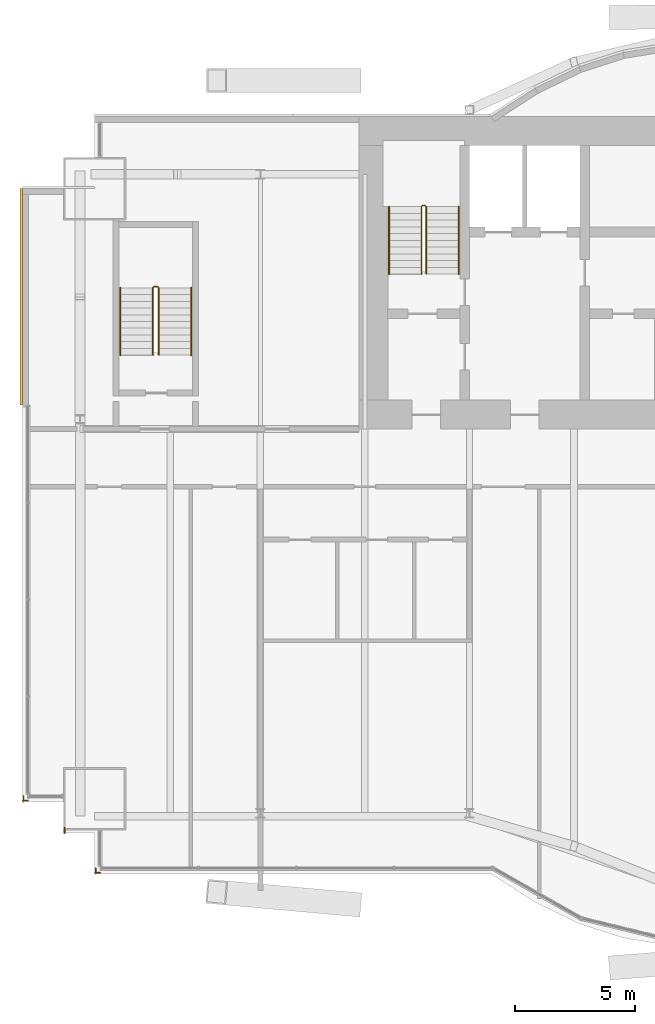
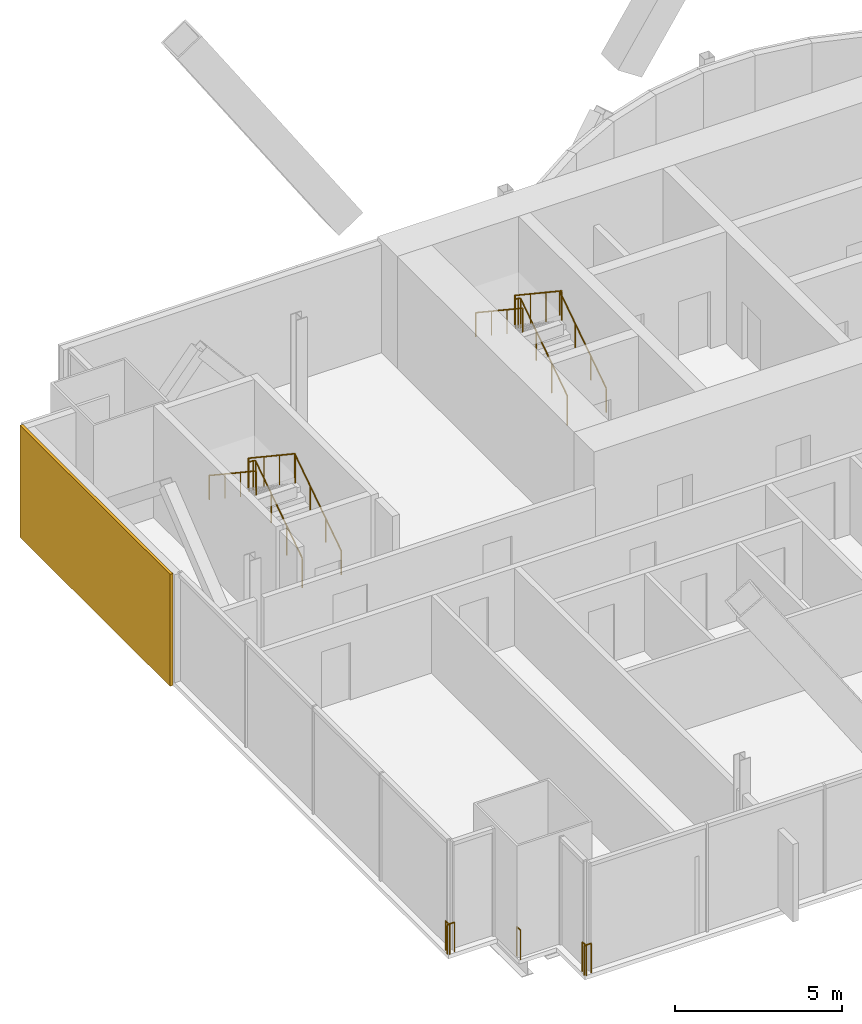
# One storey, part 18 of 20: 9 railings, 1 covering.
"""IFC4 building model written with IfcOpenShell, lengths in metres."""

from ifc_helpers import new_model, si_unit, direction, frame, origin, origin_2d, place, context, subcontext, project, spatial, rectangle, circle, extrude, material, layer, layer_set, type_object, element, save


model = new_model("IFC4")

# Units and contexts
model_context = context("Model", 3, precision=1e-05, world=origin(), true_north=direction((0.0, 1.0)))
body_context = subcontext(model_context, "Body", "Model", "MODEL_VIEW")
ifc_project = project(units=[si_unit("LENGTHUNIT", "METRE"), si_unit("AREAUNIT", "SQUARE_METRE"), si_unit("VOLUMEUNIT", "CUBIC_METRE"), si_unit("PLANEANGLEUNIT", "RADIAN"), si_unit("MASSUNIT", "GRAM", prefix="KILO")], contexts=[model_context])

# Site, building, storey
site_placement = place(None, origin())
site = spatial("IfcSite", under=ifc_project, at=site_placement, CompositionType="ELEMENT")
building_placement = place(site_placement, origin())
building = spatial("IfcBuilding", under=site, at=building_placement, Name="Bicima Exchange Tower", CompositionType="ELEMENT")
storey_placement = place(building_placement, frame((0.0, 0.0, 219.60009765625)))
storey = spatial("IfcBuildingStorey", under=building, at=storey_placement, Name="L49", CompositionType="ELEMENT", Elevation=219.60009765625)

# Covering
ifc_material_1 = material(Name="Bronze metal cladding")
ifc_layer_1 = layer(ifc_material_1, 0.004)
ifc_material_2 = material(Name="Ventilated cavity")
ifc_layer_2 = layer(ifc_material_2, 0.06)
ifc_material_3 = material(Name="Galvanised steel rail and mineral wool", Category="steel")
ifc_layer_3 = layer(ifc_material_3, 0.036)
ifc_layer_set = layer_set([ifc_layer_1, ifc_layer_2, ifc_layer_3], Name="Ventilated cavity")
covering_type = type_object("IfcCoveringType", Name="Bronze metal cladding panel 100", PredefinedType="CLADDING", material=ifc_layer_set)
covering_placement = place(storey_placement, frame((-36.050048828125, -7.5, -0.150146484375), z_axis=(0.0, 0.0, 1.0), x_axis=(0.0, -1.0, 0.0)))
element("IfcCovering", 1, at=covering_placement, inside=storey, type_object=covering_type, Name="Bronze cladding L49 23.1", PredefinedType="CLADDING", context=body_context, shape_type="SweptSolid", body=[
    extrude(rectangle(XDim=9.0, YDim=0.10009765625, at=origin_2d()), origin(), (0.0, 0.0, 1.0), 4.10009765625),
])

# Railings
ifc_material_4 = material(Name="Stainless steel and bonded safety glass", Category="steel")
railing_type_1 = type_object("IfcRailingType", Name="Edge guard 1100", PredefinedType="GUARDRAIL", material=ifc_material_4)
railing_1_placement = place(storey_placement, frame((-35.757080078125, -28.4580078125, 0.0)))
element("IfcRailing", 2, at=railing_1_placement, inside=storey, type_object=railing_type_1, Name="Edge guard L49 249", PredefinedType="GUARDRAIL", context=body_context, shape_type="SweptSolid", body=[
    extrude(circle(Radius=0.02392578125, at=origin_2d()), frame((0.0, 0.0, 1.076171875), z_axis=(-1.0, 0.0, 0.0), x_axis=(0.0, -1.0, 0.0)), (0.0, 0.0, 1.0), 0.242919921875),
    extrude(circle(Radius=0.02392578125, at=origin_2d()), frame((-0.242919921875, 0.0, 1.076171875), z_axis=(0.707106781187, -0.707106781187, 0.0), x_axis=(0.707106781187, 0.707106781187, 0.0)), (0.0, 0.0, 1.0), 0.07080078125),
    extrude(circle(Radius=0.02392578125, at=origin_2d()), frame((-0.19287109375, -0.050048828125, 1.076171875), z_axis=(0.0, 1.0, 0.0), x_axis=(-1.0, 0.0, 0.0)), (0.0, 0.0, 1.0), 0.248046875),
    extrude(circle(Radius=0.02099609375, at=origin_2d()), origin(), (0.0, 0.0, 1.0), 1.052001953125),
    extrude(circle(Radius=0.02099609375, at=origin_2d()), frame((-0.242919921875, 0.0, 0.0)), (0.0, 0.0, 1.0), 1.052001953125),
    extrude(circle(Radius=0.02099609375, at=origin_2d()), frame((-0.19287109375, -0.050048828125, 0.0)), (0.0, 0.0, 1.0), 1.052001953125),
    extrude(circle(Radius=0.02099609375, at=origin_2d()), frame((-0.19287109375, 0.197998046875, 0.0)), (0.0, 0.0, 1.0), 1.052001953125),
])
railing_2_placement = place(storey_placement, frame((-32.75, -31.4580078125, 0.0)))
element("IfcRailing", 3, at=railing_2_placement, inside=storey, type_object=railing_type_1, Name="Edge guard L49 253", PredefinedType="GUARDRAIL", context=body_context, shape_type="SweptSolid", body=[
    extrude(circle(Radius=0.02392578125, at=origin_2d()), frame((0.0, 0.0, 1.076171875), z_axis=(-1.0, 0.0, 0.0), x_axis=(0.0, -1.0, 0.0)), (0.0, 0.0, 1.0), 0.25),
    extrude(circle(Radius=0.02392578125, at=origin_2d()), frame((-0.25, 0.0, 1.076171875), z_axis=(0.707106781187, -0.707106781187, 0.0), x_axis=(0.707106781187, 0.707106781187, 0.0)), (0.0, 0.0, 1.0), 0.07080078125),
    extrude(circle(Radius=0.02392578125, at=origin_2d()), frame((-0.199951171875, -0.050048828125, 1.076171875), z_axis=(0.0, 1.0, 0.0), x_axis=(-1.0, 0.0, 0.0)), (0.0, 0.0, 1.0), 0.2431640625),
    extrude(circle(Radius=0.02099609375, at=origin_2d()), origin(), (0.0, 0.0, 1.0), 1.052001953125),
    extrude(circle(Radius=0.02099609375, at=origin_2d()), frame((-0.25, 0.0, 0.0)), (0.0, 0.0, 1.0), 1.052001953125),
    extrude(circle(Radius=0.02099609375, at=origin_2d()), frame((-0.199951171875, -0.050048828125, 0.0)), (0.0, 0.0, 1.0), 1.052001953125),
    extrude(circle(Radius=0.02099609375, at=origin_2d()), frame((-0.199951171875, 0.193115234375, 0.0)), (0.0, 0.0, 1.0), 1.052001953125),
])
railing_3_placement = place(storey_placement, frame((-34.25, -29.80810546875, 0.0)))
element("IfcRailing", 4, at=railing_3_placement, inside=storey, type_object=railing_type_1, Name="Edge guard L49 254", PredefinedType="GUARDRAIL", context=body_context, shape_type="SweptSolid", body=[
    extrude(circle(Radius=0.02392578125, at=origin_2d()), frame((0.0, 0.0, 1.076171875), z_axis=(0.0, 1.0, 0.0), x_axis=(-1.0, 0.0, 0.0)), (0.0, 0.0, 1.0), 0.217041015625),
    extrude(circle(Radius=0.02099609375, at=origin_2d()), origin(), (0.0, 0.0, 1.0), 1.052001953125),
    extrude(circle(Radius=0.02099609375, at=origin_2d()), frame((0.0, 0.217041015625, 0.0)), (0.0, 0.0, 1.0), 1.052001953125),
])
ifc_material_5 = material(Name="Stainless steel", Category="steel")
railing_type_2 = type_object("IfcRailingType", Name="Stair guard 1100", PredefinedType="GUARDRAIL", material=ifc_material_5)
railing_4_placement = place(storey_placement, frame((-19.199951171875, -6.550048828125, 0.186279296875)))
element("IfcRailing", 5, at=railing_4_placement, inside=storey, type_object=railing_type_2, Name="L49 ST-W stair guard 1", PredefinedType="GUARDRAIL", context=body_context, shape_type="SweptSolid", body=[
    extrude(circle(Radius=0.02392578125, at=origin_2d()), frame((0.0, 0.0, 1.076171875), z_axis=(0.0, 0.832485552168, 0.554046753832), x_axis=(-1.0, 0.0, 0.0)), (0.0, 0.0, 1.0), 3.363525390625),
    extrude(circle(Radius=0.02392578125, at=origin_2d()), frame((0.0, 2.800048828125, 2.939453125), z_axis=(-0.707106781187, 0.707106781187, 0.0), x_axis=(-0.707106781187, -0.707106781187, 0.0)), (0.0, 0.0, 1.0), 0.07080078125),
    extrude(circle(Radius=0.02392578125, at=origin_2d()), frame((-0.050048828125, 2.85009765625, 2.939453125), z_axis=(-1.0, 0.0, 0.0), x_axis=(0.0, -1.0, 0.0)), (0.0, 0.0, 1.0), 0.10009765625),
    extrude(circle(Radius=0.02392578125, at=origin_2d()), frame((-0.150146484375, 2.85009765625, 2.939453125), z_axis=(-0.249722437352, -0.250946566947, 0.935235010476), x_axis=(0.708833529934, -0.705375805398, 0.0)), (0.0, 0.0, 1.0), 0.199462890625),
    extrude(circle(Radius=0.02392578125, at=origin_2d()), frame((-0.199951171875, 2.800048828125, 3.1259765625), z_axis=(0.0, -0.832485552168, 0.554046753832), x_axis=(1.0, 0.0, 0.0)), (0.0, 0.0, 1.0), 3.363525390625),
    extrude(circle(Radius=0.02099609375, at=origin_2d()), origin(), (0.0, 0.0, 1.0), 1.052001953125),
    extrude(circle(Radius=0.02099609375, at=origin_2d()), frame((0.0, 0.933349609375, 0.62109375)), (0.0, 0.0, 1.0), 1.052001953125),
    extrude(circle(Radius=0.02099609375, at=origin_2d()), frame((0.0, 1.86669921875, 1.242431640625)), (0.0, 0.0, 1.0), 1.052001953125),
    extrude(circle(Radius=0.02099609375, at=origin_2d()), frame((0.0, 2.800048828125, 1.863525390625)), (0.0, 0.0, 1.0), 1.052001953125),
    extrude(circle(Radius=0.02099609375, at=origin_2d()), frame((-0.050048828125, 2.85009765625, 1.863525390625)), (0.0, 0.0, 1.0), 1.052001953125),
    extrude(circle(Radius=0.02099609375, at=origin_2d()), frame((-0.150146484375, 2.85009765625, 1.863525390625)), (0.0, 0.0, 1.0), 1.052001953125),
    extrude(circle(Radius=0.02099609375, at=origin_2d()), frame((-0.199951171875, 2.800048828125, 2.050048828125)), (0.0, 0.0, 1.0), 1.052001953125),
    extrude(circle(Radius=0.02099609375, at=origin_2d()), frame((-0.199951171875, 1.86669921875, 2.671142578125)), (0.0, 0.0, 1.0), 1.052001953125),
    extrude(circle(Radius=0.02099609375, at=origin_2d()), frame((-0.199951171875, 0.933349609375, 3.29248046875)), (0.0, 0.0, 1.0), 1.052001953125),
    extrude(circle(Radius=0.02099609375, at=origin_2d()), frame((-0.199951171875, 0.0, 3.91357421875)), (0.0, 0.0, 1.0), 1.052001953125),
])
railing_5_placement = place(storey_placement, frame((-30.324951171875, -9.925048828125, 0.186279296875)))
element("IfcRailing", 6, at=railing_5_placement, inside=storey, type_object=railing_type_2, Name="L49 ST-WW stair guard 1", PredefinedType="GUARDRAIL", context=body_context, shape_type="SweptSolid", body=[
    extrude(circle(Radius=0.02392578125, at=origin_2d()), frame((0.0, 0.0, 1.076171875), z_axis=(0.0, 0.832485552168, 0.554046753832), x_axis=(-1.0, 0.0, 0.0)), (0.0, 0.0, 1.0), 3.363525390625),
    extrude(circle(Radius=0.02392578125, at=origin_2d()), frame((0.0, 2.800048828125, 2.939453125), z_axis=(-0.707106781187, 0.707106781187, 0.0), x_axis=(-0.707106781187, -0.707106781187, 0.0)), (0.0, 0.0, 1.0), 0.07080078125),
    extrude(circle(Radius=0.02392578125, at=origin_2d()), frame((-0.050048828125, 2.85009765625, 2.939453125), z_axis=(-1.0, 0.0, 0.0), x_axis=(0.0, -1.0, 0.0)), (0.0, 0.0, 1.0), 0.14990234375),
    extrude(circle(Radius=0.02392578125, at=origin_2d()), frame((-0.199951171875, 2.85009765625, 2.939453125), z_axis=(-0.250869701741, -0.250869701741, 0.934948546978), x_axis=(0.707106781187, -0.707106781187, 0.0)), (0.0, 0.0, 1.0), 0.199462890625),
    extrude(circle(Radius=0.02392578125, at=origin_2d()), frame((-0.25, 2.800048828125, 3.1259765625), z_axis=(0.0, -0.832485552168, 0.554046753832), x_axis=(1.0, 0.0, 0.0)), (0.0, 0.0, 1.0), 3.363525390625),
    extrude(circle(Radius=0.02099609375, at=origin_2d()), origin(), (0.0, 0.0, 1.0), 1.052001953125),
    extrude(circle(Radius=0.02099609375, at=origin_2d()), frame((0.0, 0.933349609375, 0.62109375)), (0.0, 0.0, 1.0), 1.052001953125),
    extrude(circle(Radius=0.02099609375, at=origin_2d()), frame((0.0, 1.86669921875, 1.242431640625)), (0.0, 0.0, 1.0), 1.052001953125),
    extrude(circle(Radius=0.02099609375, at=origin_2d()), frame((0.0, 2.800048828125, 1.863525390625)), (0.0, 0.0, 1.0), 1.052001953125),
    extrude(circle(Radius=0.02099609375, at=origin_2d()), frame((-0.050048828125, 2.85009765625, 1.863525390625)), (0.0, 0.0, 1.0), 1.052001953125),
    extrude(circle(Radius=0.02099609375, at=origin_2d()), frame((-0.199951171875, 2.85009765625, 1.863525390625)), (0.0, 0.0, 1.0), 1.052001953125),
    extrude(circle(Radius=0.02099609375, at=origin_2d()), frame((-0.25, 2.800048828125, 2.050048828125)), (0.0, 0.0, 1.0), 1.052001953125),
    extrude(circle(Radius=0.02099609375, at=origin_2d()), frame((-0.25, 1.86669921875, 2.671142578125)), (0.0, 0.0, 1.0), 1.052001953125),
    extrude(circle(Radius=0.02099609375, at=origin_2d()), frame((-0.25, 0.933349609375, 3.29248046875)), (0.0, 0.0, 1.0), 1.052001953125),
    extrude(circle(Radius=0.02099609375, at=origin_2d()), frame((-0.25, 0.0, 3.91357421875)), (0.0, 0.0, 1.0), 1.052001953125),
])
railing_type_3 = type_object("IfcRailingType", Name="Stair handrail 900", PredefinedType="HANDRAIL", material=ifc_material_5)
railing_6_placement = place(storey_placement, frame((-17.85009765625, -6.550048828125, 0.186279296875)))
element("IfcRailing", 7, at=railing_6_placement, inside=storey, type_object=railing_type_3, Name="L49 ST-W stair handrail 1", PredefinedType="HANDRAIL", context=body_context, shape_type="SweptSolid", body=[
    extrude(circle(Radius=0.02392578125, at=origin_2d()), frame((0.0, 0.0, 0.8759765625), z_axis=(0.0, 0.832485552168, 0.554046753832), x_axis=(-1.0, 0.0, 0.0)), (0.0, 0.0, 1.0), 3.363525390625),
    extrude(circle(Radius=0.02099609375, at=origin_2d()), origin(), (0.0, 0.0, 1.0), 0.851806640625),
    extrude(circle(Radius=0.02099609375, at=origin_2d()), frame((0.0, 0.933349609375, 0.62109375)), (0.0, 0.0, 1.0), 0.851806640625),
    extrude(circle(Radius=0.02099609375, at=origin_2d()), frame((0.0, 1.86669921875, 1.242431640625)), (0.0, 0.0, 1.0), 0.851806640625),
    extrude(circle(Radius=0.02099609375, at=origin_2d()), frame((0.0, 2.800048828125, 1.863525390625)), (0.0, 0.0, 1.0), 0.851806640625),
])
railing_7_placement = place(storey_placement, frame((-20.75, -3.75, 2.276611328125)))
element("IfcRailing", 8, at=railing_7_placement, inside=storey, type_object=railing_type_3, Name="L49 ST-W stair handrail 2", PredefinedType="HANDRAIL", context=body_context, shape_type="SweptSolid", body=[
    extrude(circle(Radius=0.02392578125, at=origin_2d()), frame((0.0, 0.0, 0.8759765625), z_axis=(0.0, -0.832452072856, 0.554097055034), x_axis=(1.0, 0.0, 0.0)), (0.0, 0.0, 1.0), 3.363525390625),
    extrude(circle(Radius=0.02099609375, at=origin_2d()), origin(), (0.0, 0.0, 1.0), 0.851806640625),
    extrude(circle(Radius=0.02099609375, at=origin_2d()), frame((0.0, -0.933349609375, 0.621337890625)), (0.0, 0.0, 1.0), 0.851806640625),
    extrude(circle(Radius=0.02099609375, at=origin_2d()), frame((0.0, -1.86669921875, 1.242431640625)), (0.0, 0.0, 1.0), 0.851806640625),
    extrude(circle(Radius=0.02099609375, at=origin_2d()), frame((0.0, -2.800048828125, 1.86376953125)), (0.0, 0.0, 1.0), 0.851806640625),
])
railing_8_placement = place(storey_placement, frame((-28.97509765625, -9.925048828125, 0.186279296875)))
element("IfcRailing", 9, at=railing_8_placement, inside=storey, type_object=railing_type_3, Name="L49 ST-WW stair handrail 1", PredefinedType="HANDRAIL", context=body_context, shape_type="SweptSolid", body=[
    extrude(circle(Radius=0.02392578125, at=origin_2d()), frame((0.0, 0.0, 0.8759765625), z_axis=(0.0, 0.832485552168, 0.554046753832), x_axis=(-1.0, 0.0, 0.0)), (0.0, 0.0, 1.0), 3.363525390625),
    extrude(circle(Radius=0.02099609375, at=origin_2d()), origin(), (0.0, 0.0, 1.0), 0.851806640625),
    extrude(circle(Radius=0.02099609375, at=origin_2d()), frame((0.0, 0.933349609375, 0.62109375)), (0.0, 0.0, 1.0), 0.851806640625),
    extrude(circle(Radius=0.02099609375, at=origin_2d()), frame((0.0, 1.86669921875, 1.242431640625)), (0.0, 0.0, 1.0), 0.851806640625),
    extrude(circle(Radius=0.02099609375, at=origin_2d()), frame((0.0, 2.800048828125, 1.863525390625)), (0.0, 0.0, 1.0), 0.851806640625),
])
railing_9_placement = place(storey_placement, frame((-31.925048828125, -7.125, 2.276611328125)))
element("IfcRailing", 10, at=railing_9_placement, inside=storey, type_object=railing_type_3, Name="L49 ST-WW stair handrail 2", PredefinedType="HANDRAIL", context=body_context, shape_type="SweptSolid", body=[
    extrude(circle(Radius=0.02392578125, at=origin_2d()), frame((0.0, 0.0, 0.8759765625), z_axis=(0.0, -0.832452072856, 0.554097055034), x_axis=(1.0, 0.0, 0.0)), (0.0, 0.0, 1.0), 3.363525390625),
    extrude(circle(Radius=0.02099609375, at=origin_2d()), origin(), (0.0, 0.0, 1.0), 0.851806640625),
    extrude(circle(Radius=0.02099609375, at=origin_2d()), frame((0.0, -0.933349609375, 0.621337890625)), (0.0, 0.0, 1.0), 0.851806640625),
    extrude(circle(Radius=0.02099609375, at=origin_2d()), frame((0.0, -1.86669921875, 1.242431640625)), (0.0, 0.0, 1.0), 0.851806640625),
    extrude(circle(Radius=0.02099609375, at=origin_2d()), frame((0.0, -2.800048828125, 1.86376953125)), (0.0, 0.0, 1.0), 0.851806640625),
])

save(model, "model.ifc")
